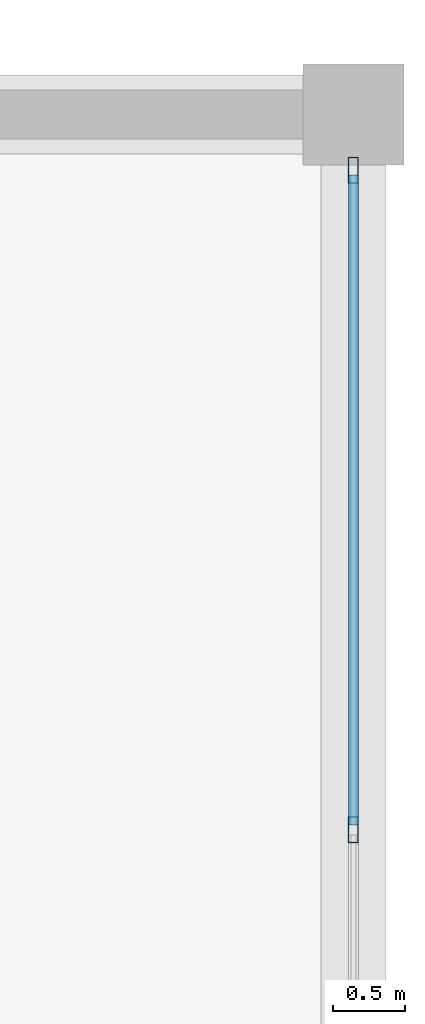
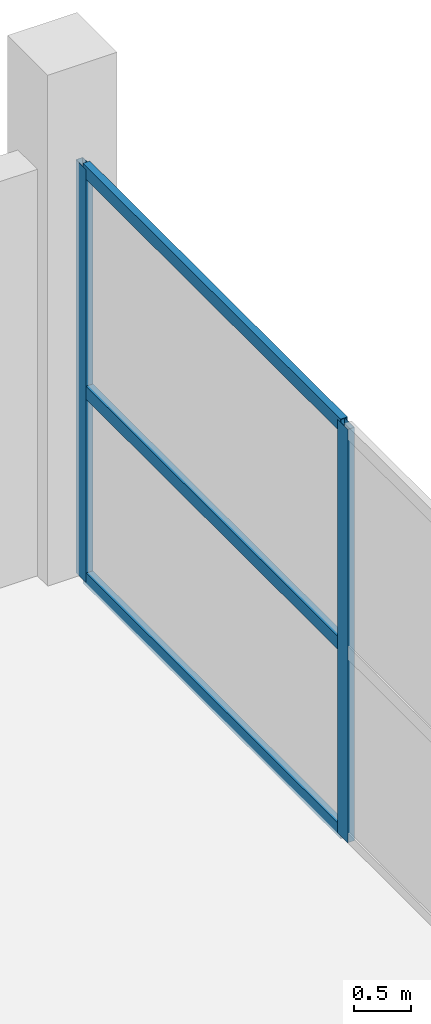
# One storey, part 40 of 74: 5 members, 1 element without a shape of its own.
"""IFC4 building model written with IfcOpenShell, lengths in metres."""

from ifc_helpers import new_model, si_unit, direction, frame, origin, origin_2d, place, context, subcontext, project, spatial, hollow_rectangle, extrude, material, layer, layer_set, material_profile, profile_set, type_object, element, aggregate, save


model = new_model("IFC4")

# Units and contexts
model_context = context("Model", 3, precision=1e-05, world=origin(), true_north=direction((0.0, 1.0)))
body_context = subcontext(model_context, "Body", "Model", "MODEL_VIEW")
ifc_project = project(units=[si_unit("LENGTHUNIT", "METRE"), si_unit("AREAUNIT", "SQUARE_METRE"), si_unit("VOLUMEUNIT", "CUBIC_METRE"), si_unit("PLANEANGLEUNIT", "RADIAN"), si_unit("MASSUNIT", "GRAM", prefix="KILO")], contexts=[model_context])

# Site, building, storey
site_placement = place(None, origin())
site = spatial("IfcSite", under=ifc_project, at=site_placement, CompositionType="ELEMENT")
building_placement = place(site_placement, origin())
building = spatial("IfcBuilding", under=site, at=building_placement, Name="Sillaruma Civic Art Gallery", CompositionType="ELEMENT")
storey_placement = place(building_placement, frame((0.0, 0.0, 5.43994140625)))
storey = spatial("IfcBuildingStorey", under=building, at=storey_placement, Name="L01", CompositionType="ELEMENT", Elevation=5.43994140625)

# Curtain wall, members
ifc_material = material(Name="Thermally Broken Extruded Aluminium 6063-T6", Category="aluminium")
ifc_layer = layer(ifc_material, 0.179931640625, Name="Thermally Broken Extruded Aluminium 6063-T6")
ifc_layer_set = layer_set([ifc_layer], Name="Thermally Broken Extruded Aluminium 6063-T6")
curtain_wall_type = type_object("IfcCurtainWallType", Name="CW-UNI-12", PredefinedType="NOTDEFINED", material=ifc_layer_set)
curtain_wall_placement = place(storey_placement, origin())
curtain_wall = element("IfcCurtainWall", 1, at=curtain_wall_placement, inside=storey, type_object=curtain_wall_type, Name="Unitised Curtain Wall CW-12 (CW-L01-ESTR-4)", PredefinedType="NOTDEFINED")
ifc_material_profile_1 = material_profile(ifc_material, hollow_rectangle(XDim=0.070068359375, YDim=0.179931640625, WallThickness=0.00390625, at=origin_2d()), Name="CWM70x180")
ifc_profile_set_1 = profile_set([ifc_material_profile_1], Name="Thermally Broken Extruded Aluminium 6063-T6")
member_type_1 = type_object("IfcMemberType", Name="MEM-MUL-CWM70x180", PredefinedType="MULLION", material=ifc_profile_set_1)
member_1_placement = place(storey_placement, frame((176.39990234375, 34.64990234375, 0.0), z_axis=(0.0, 0.0, 1.0), x_axis=(-1.0, 0.0, 0.0)))
member_1 = element("IfcMember", 2, at=member_1_placement, type_object=member_type_1, Name="CW-12 mullion 2", PredefinedType="MULLION", context=body_context, shape_type="SweptSolid", body=[
    extrude(hollow_rectangle(XDim=0.070068359375, YDim=0.179931640625, WallThickness=0.00390625, at=origin_2d()), origin(), (0.0, 0.0, 1.0), 4.400146484375),
])
member_2_placement = place(storey_placement, frame((176.39990234375, 39.215087890625, 0.0), z_axis=(0.0, 0.0, 1.0), x_axis=(-1.0, 0.0, 0.0)))
member_2 = element("IfcMember", 3, at=member_2_placement, type_object=member_type_1, Name="CW-12 mullion 3", PredefinedType="MULLION", context=body_context, shape_type="SweptSolid", body=[
    extrude(hollow_rectangle(XDim=0.070068359375, YDim=0.179931640625, WallThickness=0.00390625, at=origin_2d()), origin(), (0.0, 0.0, 1.0), 4.400146484375),
])
ifc_material_profile_2 = material_profile(ifc_material, hollow_rectangle(XDim=0.070068359375, YDim=0.139892578125, WallThickness=0.00390625, at=origin_2d()), Name="CWT70x140")
ifc_profile_set_2 = profile_set([ifc_material_profile_2], Name="Thermally Broken Extruded Aluminium 6063-T6")
member_type_2 = type_object("IfcMemberType", Name="MEM-TRN-CWT70x140", PredefinedType="USERDEFINED", material=ifc_profile_set_2)
member_3_placement = place(storey_placement, frame((176.39990234375, 34.68505859375, 0.03515625), z_axis=(0.0, 1.0, 0.0), x_axis=(-1.0, 0.0, 0.0)))
member_3 = element("IfcMember", 4, at=member_3_placement, type_object=member_type_2, Name="CW-12 transom 2.1", ObjectType="TRANSOM", PredefinedType="USERDEFINED", context=body_context, shape_type="SweptSolid", body=[
    extrude(hollow_rectangle(XDim=0.070068359375, YDim=0.139892578125, WallThickness=0.00390625, at=origin_2d()), origin(), (0.0, 0.0, 1.0), 4.494873046875),
])
member_4_placement = place(storey_placement, frame((176.39990234375, 34.68505859375, 2.024169921875), z_axis=(0.0, 1.0, 0.0), x_axis=(-1.0, 0.0, 0.0)))
member_4 = element("IfcMember", 5, at=member_4_placement, type_object=member_type_2, Name="CW-12 transom 2.2", ObjectType="TRANSOM", PredefinedType="USERDEFINED", context=body_context, shape_type="SweptSolid", body=[
    extrude(hollow_rectangle(XDim=0.070068359375, YDim=0.139892578125, WallThickness=0.00390625, at=origin_2d()), origin(), (0.0, 0.0, 1.0), 4.494873046875),
])
member_5_placement = place(storey_placement, frame((176.39990234375, 34.68505859375, 4.364990234375), z_axis=(0.0, 1.0, 0.0), x_axis=(-1.0, 0.0, 0.0)))
member_5 = element("IfcMember", 6, at=member_5_placement, type_object=member_type_2, Name="CW-12 transom 2.3", ObjectType="TRANSOM", PredefinedType="USERDEFINED", context=body_context, shape_type="SweptSolid", body=[
    extrude(hollow_rectangle(XDim=0.070068359375, YDim=0.139892578125, WallThickness=0.00390625, at=origin_2d()), origin(), (0.0, 0.0, 1.0), 4.494873046875),
])
aggregate(curtain_wall, [member_1, member_2, member_3, member_4, member_5])

save(model, "model.ifc")
